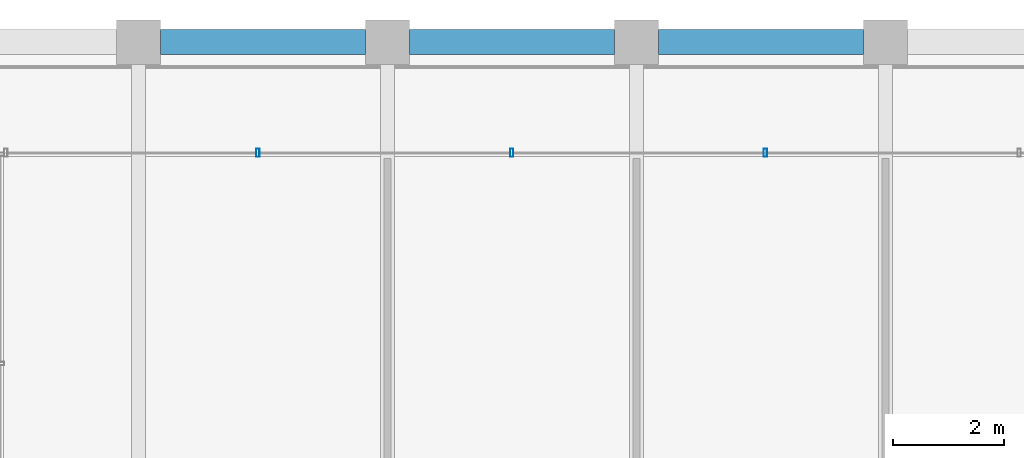
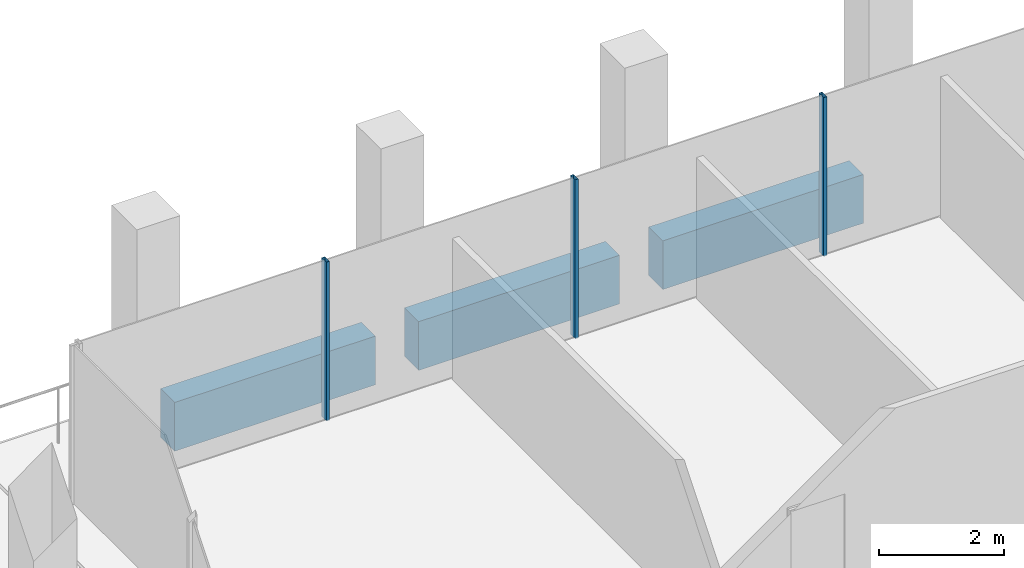
# One storey, part 25 of 62: 3 beams, 3 members, 1 element without a shape of its own.
"""IFC4 building model written with IfcOpenShell, lengths in metres."""

from ifc_helpers import new_model, si_unit, direction, frame, origin, origin_2d, place, context, subcontext, project, spatial, rectangle, hollow_rectangle, extrude, material, material_profile, profile_set, type_object, element, aggregate, save


model = new_model("IFC4")

# Units and contexts
model_context = context("Model", 3, precision=1e-05, world=origin(), true_north=direction((0.0, 1.0)))
body_context = subcontext(model_context, "Body", "Model", "MODEL_VIEW")
ifc_project = project(units=[si_unit("LENGTHUNIT", "METRE"), si_unit("AREAUNIT", "SQUARE_METRE"), si_unit("VOLUMEUNIT", "CUBIC_METRE"), si_unit("PLANEANGLEUNIT", "RADIAN"), si_unit("MASSUNIT", "GRAM", prefix="KILO")], contexts=[model_context])

# Site, building, storey
site_placement = place(None, origin())
site = spatial("IfcSite", under=ifc_project, at=site_placement, CompositionType="ELEMENT")
building_placement = place(site_placement, origin())
building = spatial("IfcBuilding", under=site, at=building_placement, Name="Altepetl Exchange Towers", CompositionType="ELEMENT")
storey_placement = place(building_placement, frame((0.0, 0.0, 210.0)))
storey = spatial("IfcBuildingStorey", under=building, at=storey_placement, Name="L53", CompositionType="ELEMENT", Elevation=210.0)

# Curtain wall, members
ifc_material_1 = material(Name="Aluminium 6063-T6 glazing", Category="aluminium")
curtain_wall_type = type_object("IfcCurtainWallType", Name="Loggia glazing system", PredefinedType="NOTDEFINED", material=ifc_material_1)
curtain_wall_placement = place(storey_placement, origin())
curtain_wall = element("IfcCurtainWall", 1, at=curtain_wall_placement, inside=storey, type_object=curtain_wall_type, Name="CW1 run", PredefinedType="NOTDEFINED")
ifc_material_2 = material(Name="Aluminium 6063-T6", Category="aluminium")
ifc_material_profile_1 = material_profile(ifc_material_2, hollow_rectangle(XDim=0.06005859375, YDim=0.14990234375, WallThickness=0.0029296875, at=origin_2d()), Name="Mullion 60x150 aluminium")
ifc_profile_set_1 = profile_set([ifc_material_profile_1], Name="Aluminium 6063-T6")
member_type = type_object("IfcMemberType", Name="Mullion 60x150 aluminium", PredefinedType="MULLION", material=ifc_profile_set_1)
member_1_placement = place(storey_placement, frame((56.330078125, 70.0, 0.0), z_axis=(0.0, 0.0, 1.0), x_axis=(-1.0, 0.0, 0.0)))
member_1 = element("IfcMember", 2, at=member_1_placement, type_object=member_type, Name="MU1 mullion", PredefinedType="MULLION", context=body_context, shape_type="SweptSolid", body=[
    extrude(hollow_rectangle(XDim=0.06005859375, YDim=0.14990234375, WallThickness=0.0029296875, at=origin_2d()), origin(), (0.0, 0.0, 1.0), 3.10009765625),
])
member_2_placement = place(storey_placement, frame((51.7451171875, 70.0, 0.0), z_axis=(0.0, 0.0, 1.0), x_axis=(-1.0, 0.0, 0.0)))
member_2 = element("IfcMember", 3, at=member_2_placement, type_object=member_type, Name="MU1 mullion", PredefinedType="MULLION", context=body_context, shape_type="SweptSolid", body=[
    extrude(hollow_rectangle(XDim=0.06005859375, YDim=0.14990234375, WallThickness=0.0029296875, at=origin_2d()), origin(), (0.0, 0.0, 1.0), 3.10009765625),
])
member_3_placement = place(storey_placement, frame((47.159912109375, 70.0, 0.0), z_axis=(0.0, 0.0, 1.0), x_axis=(-1.0, 0.0, 0.0)))
member_3 = element("IfcMember", 4, at=member_3_placement, type_object=member_type, Name="MU1 mullion", PredefinedType="MULLION", context=body_context, shape_type="SweptSolid", body=[
    extrude(hollow_rectangle(XDim=0.06005859375, YDim=0.14990234375, WallThickness=0.0029296875, at=origin_2d()), origin(), (0.0, 0.0, 1.0), 3.10009765625),
])
aggregate(curtain_wall, [member_1, member_2, member_3])

# Beams
ifc_material_3 = material(Name="Concrete C50/60 precast with cantera rosa facing", Category="concrete")
ifc_material_profile_2 = material_profile(ifc_material_3, rectangle(XDim=0.449951171875, YDim=0.949951171875, at=origin_2d()), Name="450 x 950")
ifc_profile_set_2 = profile_set([ifc_material_profile_2], Name="Concrete C50/60 precast with cantera rosa facing")
beam_type = type_object("IfcBeamType", Name="Spandrel beam 450x950 cantera rosa", PredefinedType="SPANDREL", material=ifc_profile_set_2)
for number, where, z_axis, x_axis, name in (
    (5, (58.10009765625, 72.0, -0.625), (-1.0, 0.0, 0.0), (0.0, -1.0, 0.0), "sp:A:L53:026"),
    (6, (53.60009765625, 72.0, -0.625), (-1.0, 0.0, 0.0), (0.0, -1.0, 0.0), "sp:A:L53:027"),
    (7, (49.10009765625, 72.0, -0.625), (-1.0, 0.0, 0.0), (0.0, -1.0, 0.0), "sp:A:L53:028"),
):
    element("IfcBeam", number, at=place(storey_placement, frame(where, z_axis=z_axis, x_axis=x_axis)), inside=storey, type_object=beam_type, Name=name, PredefinedType="SPANDREL", context=body_context, shape_type="SweptSolid", body=[
        extrude(rectangle(XDim=0.449951171875, YDim=0.949951171875, at=origin_2d()), origin(), (0.0, 0.0, 1.0), 3.7001953125),
    ])

save(model, "model.ifc")
